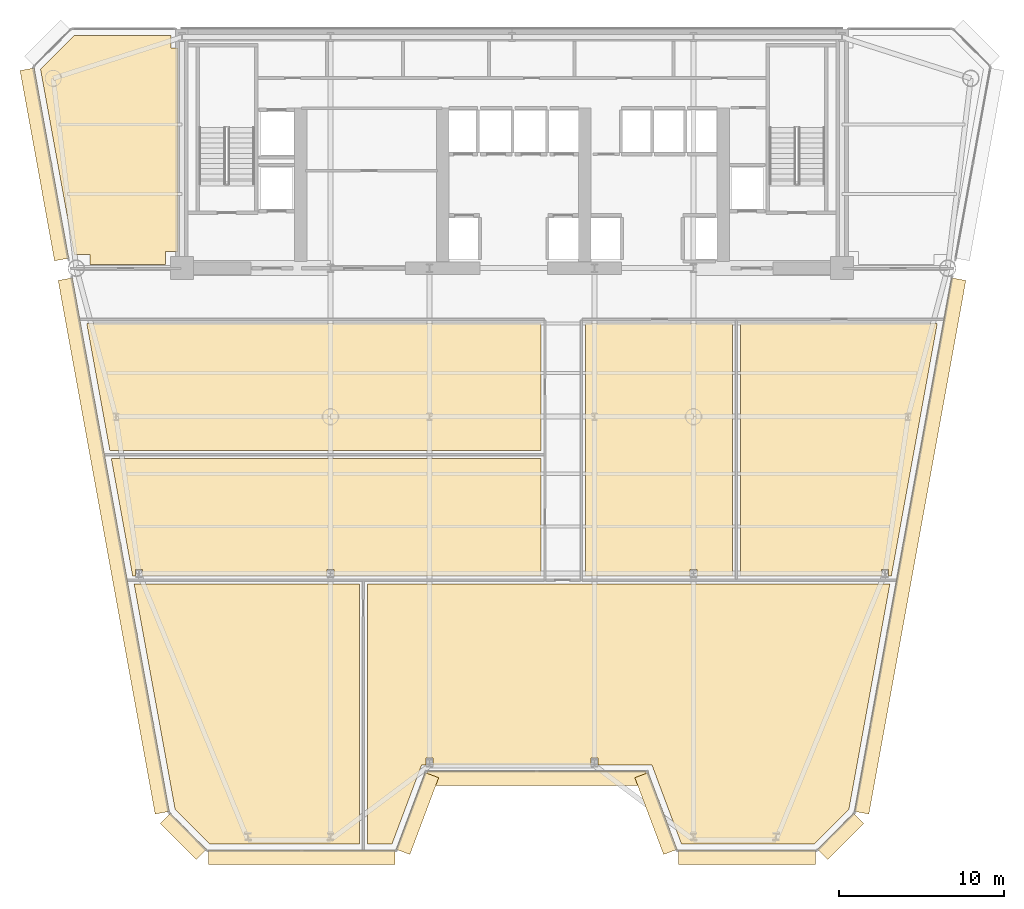
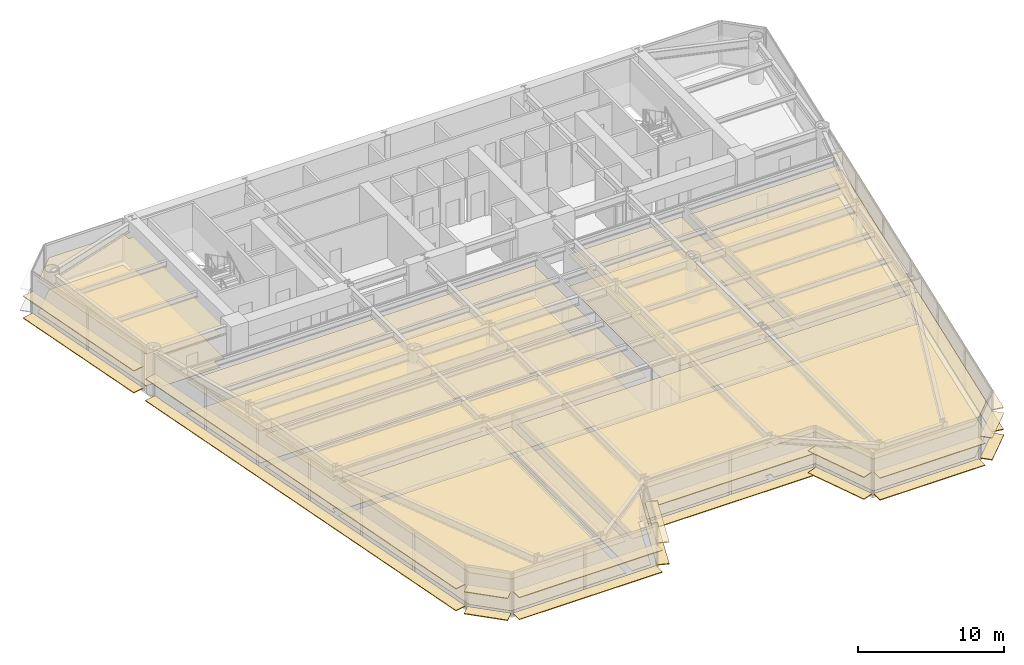
# One storey, part 11 of 14: 34 coverings.
"""IFC4 building model written with IfcOpenShell, lengths in metres."""

from ifc_helpers import new_model, si_unit, direction, frame, origin, origin_2d, place, context, subcontext, project, spatial, polyline, rectangle, outline, extrude, source, transform, mapped, material, layer, layer_set, type_object, element, save


model = new_model("IFC4")

# Units and contexts
model_context = context("Model", 3, precision=1e-05, world=origin(), true_north=direction((0.0, 1.0)))
body_context = subcontext(model_context, "Body", "Model", "MODEL_VIEW")
ifc_project = project(units=[si_unit("LENGTHUNIT", "METRE"), si_unit("AREAUNIT", "SQUARE_METRE"), si_unit("VOLUMEUNIT", "CUBIC_METRE"), si_unit("PLANEANGLEUNIT", "RADIAN"), si_unit("MASSUNIT", "GRAM", prefix="KILO")], contexts=[model_context])

# Site, building, storey
site_placement = place(None, origin())
site = spatial("IfcSite", under=ifc_project, at=site_placement, CompositionType="ELEMENT")
building_placement = place(site_placement, origin())
building = spatial("IfcBuilding", under=site, at=building_placement, Name="Vaeldorn Concourse Tower", CompositionType="ELEMENT")
storey_placement = place(building_placement, frame((0.0, 0.0, 126.199951171875)))
storey = spatial("IfcBuildingStorey", under=building, at=storey_placement, Name="L32", CompositionType="ELEMENT", Elevation=126.199951171875)

# Coverings
ifc_material_1 = material(Name="Acoustic Mineral Fibre Board", Category="gypsum")
ifc_layer_1 = layer(ifc_material_1, 0.0400390625)
ifc_layer_set_1 = layer_set([ifc_layer_1], Name="Acoustic Mineral Fibre Board")
covering_type_1 = type_object("IfcCoveringType", Name="COV-CEIL-ACOUSTIC", PredefinedType="CEILING", material=ifc_layer_set_1)
covering_1_placement = place(storey_placement, frame((0.0, 0.0, 2.650146484375)))
element("IfcCovering", 1, at=covering_1_placement, inside=storey, type_object=covering_type_1, Name="Suspended Acoustic Ceiling L32-4", PredefinedType="CEILING", context=body_context, shape_type="SweptSolid", body=[
    extrude(outline(polyline([(7.4658203125, 50.60009765625), (13.340087890625, 50.60009765625), (13.340087890625, 49.840087890625), (13.760009765625, 49.840087890625), (13.760009765625, 37.5), (13.0, 37.5), (13.0, 36.719970703125), (8.419921875, 36.719970703125), (8.419921875, 37.320068359375), (7.475341796875, 37.320068359375), (5.43115234375, 48.565185546875), (7.4658203125, 50.60009765625)])), origin(), (0.0, 0.0, 1.0), 0.039794921875),
])
covering_2_placement = place(storey_placement, frame((0.0, 0.0, 2.650146484375)))
element("IfcCovering", 2, at=covering_2_placement, inside=storey, type_object=covering_type_1, Name="Suspended Acoustic Ceiling L32-6", PredefinedType="CEILING", context=body_context, shape_type="SweptSolid", body=[
    extrude(outline(polyline([(24.760009765625, 17.360107421875), (24.760009765625, 1.595458984375), (15.68359375, 1.595458984375), (13.589111328125, 3.68994140625), (11.10400390625, 17.360107421875), (24.760009765625, 17.360107421875)])), origin(), (0.0, 0.0, 1.0), 0.039794921875),
])
covering_3_placement = place(storey_placement, frame((0.0, 0.0, 2.650146484375)))
element("IfcCovering", 3, at=covering_3_placement, inside=storey, type_object=covering_type_1, Name="Suspended Acoustic Ceiling L32-7", PredefinedType="CEILING", context=body_context, shape_type="SweptSolid", body=[
    extrude(outline(polyline([(26.722900390625, 1.595458984375), (25.239990234375, 1.595458984375), (25.239990234375, 17.360107421875), (56.89599609375, 17.360107421875), (54.410888671875, 3.68994140625), (52.31640625, 1.595458984375), (44.277099609375, 1.595458984375), (42.477294921875, 6.3955078125), (39.2119140625, 6.3955078125), (39.2119140625, 6.83251953125), (38.7880859375, 6.83251953125), (38.7880859375, 6.3955078125), (29.2119140625, 6.3955078125), (29.2119140625, 6.83251953125), (28.7880859375, 6.83251953125), (28.7880859375, 6.3955078125), (28.522705078125, 6.3955078125), (26.722900390625, 1.595458984375)])), origin(), (0.0, 0.0, 1.0), 0.039794921875),
])
covering_4_placement = place(storey_placement, frame((0.0, 0.0, 2.650146484375)))
element("IfcCovering", 4, at=covering_4_placement, inside=storey, type_object=covering_type_1, Name="Suspended Acoustic Ceiling L32-8", PredefinedType="CEILING", context=body_context, shape_type="SweptSolid", body=[
    extrude(outline(polyline([(35.760009765625, 24.9599609375), (35.760009765625, 17.840087890625), (23.2119140625, 17.840087890625), (23.2119140625, 18.237060546875), (22.7880859375, 18.237060546875), (22.7880859375, 17.840087890625), (11.612060546875, 17.840087890625), (11.612060546875, 18.237060546875), (11.18798828125, 18.237060546875), (11.18798828125, 17.840087890625), (11.0166015625, 17.840087890625), (9.722412109375, 24.9599609375), (35.760009765625, 24.9599609375)])), origin(), (0.0, 0.0, 1.0), 0.039794921875),
])
covering_5_placement = place(storey_placement, frame((0.0, 0.0, 2.650146484375)))
element("IfcCovering", 5, at=covering_5_placement, inside=storey, type_object=covering_type_1, Name="Suspended Acoustic Ceiling L32-9", PredefinedType="CEILING", context=body_context, shape_type="SweptSolid", body=[
    extrude(outline(polyline([(35.760009765625, 33.159912109375), (35.760009765625, 25.43994140625), (9.635009765625, 25.43994140625), (8.231689453125, 33.159912109375), (35.760009765625, 33.159912109375)])), origin(), (0.0, 0.0, 1.0), 0.039794921875),
])
covering_6_placement = place(storey_placement, frame((0.0, 0.0, 2.650146484375)))
element("IfcCovering", 6, at=covering_6_placement, inside=storey, type_object=covering_type_1, Name="Suspended Acoustic Ceiling L32-10", PredefinedType="CEILING", context=body_context, shape_type="SweptSolid", body=[
    extrude(outline(polyline([(38.43994140625, 33.159912109375), (47.360107421875, 33.159912109375), (47.360107421875, 17.840087890625), (45.2119140625, 17.840087890625), (45.2119140625, 18.237060546875), (44.7880859375, 18.237060546875), (44.7880859375, 17.840087890625), (38.43994140625, 17.840087890625), (38.43994140625, 33.159912109375)])), origin(), (0.0, 0.0, 1.0), 0.039794921875),
])
covering_7_placement = place(storey_placement, frame((0.0, 0.0, 2.650146484375)))
element("IfcCovering", 7, at=covering_7_placement, inside=storey, type_object=covering_type_1, Name="Suspended Acoustic Ceiling L32-11", PredefinedType="CEILING", context=body_context, shape_type="SweptSolid", body=[
    extrude(outline(polyline([(47.840087890625, 33.159912109375), (59.768310546875, 33.159912109375), (56.9833984375, 17.840087890625), (56.81201171875, 17.840087890625), (56.81201171875, 18.237060546875), (56.387939453125, 18.237060546875), (56.387939453125, 17.840087890625), (47.840087890625, 17.840087890625), (47.840087890625, 33.159912109375)])), origin(), (0.0, 0.0, 1.0), 0.039794921875),
])
ifc_material_2 = material(Name="Honed Limestone Terrazzo Flooring", Category="masonry")
ifc_layer_2 = layer(ifc_material_2, 0.0400390625)
ifc_layer_set_2 = layer_set([ifc_layer_2], Name="Honed Limestone Terrazzo Flooring")
covering_type_2 = type_object("IfcCoveringType", Name="COV-FLOOR-STONE", PredefinedType="FLOORING", material=ifc_layer_set_2)
covering_8_placement = place(storey_placement, origin())
element("IfcCovering", 8, at=covering_8_placement, inside=storey, type_object=covering_type_2, Name="Floor Finish Covering L32-4", PredefinedType="FLOORING", context=body_context, shape_type="SweptSolid", body=[
    extrude(outline(polyline([(7.4658203125, 50.60009765625), (13.340087890625, 50.60009765625), (13.340087890625, 49.840087890625), (13.760009765625, 49.840087890625), (13.760009765625, 37.5), (13.0, 37.5), (13.0, 36.719970703125), (8.419921875, 36.719970703125), (8.419921875, 37.320068359375), (7.475341796875, 37.320068359375), (5.43115234375, 48.565185546875), (7.4658203125, 50.60009765625)])), origin(), (0.0, 0.0, 1.0), 0.030029296875),
])
covering_9_placement = place(storey_placement, origin())
element("IfcCovering", 9, at=covering_9_placement, inside=storey, type_object=covering_type_2, Name="Floor Finish Covering L32-6", PredefinedType="FLOORING", context=body_context, shape_type="SweptSolid", body=[
    extrude(outline(polyline([(24.760009765625, 17.360107421875), (24.760009765625, 1.595458984375), (15.68359375, 1.595458984375), (13.589111328125, 3.68994140625), (11.10400390625, 17.360107421875), (24.760009765625, 17.360107421875)])), origin(), (0.0, 0.0, 1.0), 0.030029296875),
])
covering_10_placement = place(storey_placement, origin())
element("IfcCovering", 10, at=covering_10_placement, inside=storey, type_object=covering_type_2, Name="Floor Finish Covering L32-7", PredefinedType="FLOORING", context=body_context, shape_type="SweptSolid", body=[
    extrude(outline(polyline([(26.722900390625, 1.595458984375), (25.239990234375, 1.595458984375), (25.239990234375, 17.360107421875), (56.89599609375, 17.360107421875), (54.410888671875, 3.68994140625), (52.31640625, 1.595458984375), (44.277099609375, 1.595458984375), (42.477294921875, 6.3955078125), (39.2119140625, 6.3955078125), (39.2119140625, 6.83251953125), (38.7880859375, 6.83251953125), (38.7880859375, 6.3955078125), (29.2119140625, 6.3955078125), (29.2119140625, 6.83251953125), (28.7880859375, 6.83251953125), (28.7880859375, 6.3955078125), (28.522705078125, 6.3955078125), (26.722900390625, 1.595458984375)])), origin(), (0.0, 0.0, 1.0), 0.030029296875),
])
covering_11_placement = place(storey_placement, origin())
element("IfcCovering", 11, at=covering_11_placement, inside=storey, type_object=covering_type_2, Name="Floor Finish Covering L32-8", PredefinedType="FLOORING", context=body_context, shape_type="SweptSolid", body=[
    extrude(outline(polyline([(35.760009765625, 24.9599609375), (35.760009765625, 17.840087890625), (23.2119140625, 17.840087890625), (23.2119140625, 18.237060546875), (22.7880859375, 18.237060546875), (22.7880859375, 17.840087890625), (11.612060546875, 17.840087890625), (11.612060546875, 18.237060546875), (11.18798828125, 18.237060546875), (11.18798828125, 17.840087890625), (11.0166015625, 17.840087890625), (9.722412109375, 24.9599609375), (35.760009765625, 24.9599609375)])), origin(), (0.0, 0.0, 1.0), 0.030029296875),
])
covering_12_placement = place(storey_placement, origin())
element("IfcCovering", 12, at=covering_12_placement, inside=storey, type_object=covering_type_2, Name="Floor Finish Covering L32-9", PredefinedType="FLOORING", context=body_context, shape_type="SweptSolid", body=[
    extrude(outline(polyline([(35.760009765625, 33.159912109375), (35.760009765625, 25.43994140625), (9.635009765625, 25.43994140625), (8.231689453125, 33.159912109375), (35.760009765625, 33.159912109375)])), origin(), (0.0, 0.0, 1.0), 0.030029296875),
])
covering_13_placement = place(storey_placement, origin())
element("IfcCovering", 13, at=covering_13_placement, inside=storey, type_object=covering_type_2, Name="Floor Finish Covering L32-10", PredefinedType="FLOORING", context=body_context, shape_type="SweptSolid", body=[
    extrude(outline(polyline([(38.43994140625, 33.159912109375), (47.360107421875, 33.159912109375), (47.360107421875, 17.840087890625), (45.2119140625, 17.840087890625), (45.2119140625, 18.237060546875), (44.7880859375, 18.237060546875), (44.7880859375, 17.840087890625), (38.43994140625, 17.840087890625), (38.43994140625, 33.159912109375)])), origin(), (0.0, 0.0, 1.0), 0.030029296875),
])
covering_14_placement = place(storey_placement, origin())
element("IfcCovering", 14, at=covering_14_placement, inside=storey, type_object=covering_type_2, Name="Floor Finish Covering L32-11", PredefinedType="FLOORING", context=body_context, shape_type="SweptSolid", body=[
    extrude(outline(polyline([(47.840087890625, 33.159912109375), (59.768310546875, 33.159912109375), (56.9833984375, 17.840087890625), (56.81201171875, 17.840087890625), (56.81201171875, 18.237060546875), (56.387939453125, 18.237060546875), (56.387939453125, 17.840087890625), (47.840087890625, 17.840087890625), (47.840087890625, 33.159912109375)])), origin(), (0.0, 0.0, 1.0), 0.030029296875),
])
ifc_material_3 = material(Name="Anodised Bronze Aluminium", Category="aluminium")
ifc_layer_3 = layer(ifc_material_3, 0.06494140625)
ifc_layer_set_3 = layer_set([ifc_layer_3], Name="Anodised Bronze Aluminium")
covering_type_3 = type_object("IfcCoveringType", Name="SD-BRONZE-SUNSHADE", PredefinedType="USERDEFINED", material=ifc_layer_set_3)
shared_shape_1 = source(origin(), body_context, "Body", "SweptSolid", [
    extrude(rectangle(XDim=4.96630859375, YDim=0.8798828125, at=origin_2d()), origin(), (0.0, 0.0, 1.0), 0.06494140625),
])
for number, where, z_axis, x_axis, name in (
    (15, (28.2744140625, 3.455078125, 0.047607421875), (0.0, 0.0, 1.0), (0.351122702609, 0.936329454686, 0.0), "Horizontal Bronze Sunshade L32-E02.1.1"),
    (16, (28.2744140625, 3.455078125, 1.86767578125), (0.0, 0.0, 1.0), (0.351122702609, 0.936329454686, 0.0), "Horizontal Bronze Sunshade L32-E02.1.2"),
    (17, (42.7255859375, 3.455078125, 0.047607421875), (0.0, 0.0, 1.0), (0.351122702609, -0.936329454686, 0.0), "Horizontal Bronze Sunshade L32-E04.1.1"),
    (18, (42.7255859375, 3.455078125, 1.86767578125), (0.0, 0.0, 1.0), (0.351122702609, -0.936329454686, 0.0), "Horizontal Bronze Sunshade L32-E04.1.2"),
):
    element("IfcCovering", number, at=place(storey_placement, frame(where, z_axis=z_axis, x_axis=x_axis)), inside=storey, type_object=covering_type_3, Name=name, ObjectType="SUNSHADE", PredefinedType="USERDEFINED", context=body_context, shape_type="MappedRepresentation", body=[
        mapped(shared_shape_1, transform((0.0, 0.0, 0.0), scale=1.0)),
    ])
shared_shape_2 = source(origin(), body_context, "Body", "SweptSolid", [
    extrude(rectangle(XDim=13.239990234375, YDim=0.8798828125, at=origin_2d()), origin(), (0.0, 0.0, 1.0), 0.06494140625),
])
for number, where, z_axis, x_axis, name in (
    (19, (35.5, 5.595458984375, 0.047607421875), (0.0, 0.0, 1.0), (1.0, 0.0, 0.0), "Horizontal Bronze Sunshade L32-E03.1.1"),
    (20, (35.5, 5.595458984375, 1.86767578125), (0.0, 0.0, 1.0), (1.0, 0.0, 0.0), "Horizontal Bronze Sunshade L32-E03.1.2"),
):
    element("IfcCovering", number, at=place(storey_placement, frame(where, z_axis=z_axis, x_axis=x_axis)), inside=storey, type_object=covering_type_3, Name=name, ObjectType="SUNSHADE", PredefinedType="USERDEFINED", context=body_context, shape_type="MappedRepresentation", body=[
        mapped(shared_shape_2, transform((0.0, 0.0, 0.0), scale=1.0)),
    ])
shared_shape_3 = source(origin(), body_context, "Body", "SweptSolid", [
    extrude(rectangle(XDim=3.0927734375, YDim=0.8798828125, at=origin_2d()), origin(), (0.0, 0.0, 1.0), 0.06494140625),
])
for number, where, z_axis, x_axis, name in (
    (21, (53.9150390625, 2.0625, 0.047607421875), (0.0, 0.0, 1.0), (0.707106781187, 0.707106781187, 0.0), "Horizontal Bronze Sunshade L32-E06.1.1"),
    (22, (53.9150390625, 2.0625, 1.86767578125), (0.0, 0.0, 1.0), (0.707106781187, 0.707106781187, 0.0), "Horizontal Bronze Sunshade L32-E06.1.2"),
    (23, (14.0849609375, 2.0625, 0.047607421875), (0.0, 0.0, 1.0), (0.707106781187, -0.707106781187, 0.0), "Horizontal Bronze Sunshade L32-E12.1.1"),
    (24, (14.0849609375, 2.0625, 1.86767578125), (0.0, 0.0, 1.0), (0.707106781187, -0.707106781187, 0.0), "Horizontal Bronze Sunshade L32-E12.1.2"),
):
    element("IfcCovering", number, at=place(storey_placement, frame(where, z_axis=z_axis, x_axis=x_axis)), inside=storey, type_object=covering_type_3, Name=name, ObjectType="SUNSHADE", PredefinedType="USERDEFINED", context=body_context, shape_type="MappedRepresentation", body=[
        mapped(shared_shape_3, transform((0.0, 0.0, 0.0), scale=1.0)),
    ])
shared_shape_4 = source(origin(), body_context, "Body", "SweptSolid", [
    extrude(rectangle(XDim=11.322265625, YDim=0.8798828125, at=origin_2d()), origin(), (0.0, 0.0, 1.0), 0.06494140625),
])
for number, where, z_axis, x_axis, name in (
    (25, (21.2587890625, 0.79541015625, 0.047607421875), (0.0, 0.0, 1.0), (1.0, 0.0, 0.0), "Horizontal Bronze Sunshade L32-E01.1.1"),
    (26, (21.2587890625, 0.79541015625, 1.86767578125), (0.0, 0.0, 1.0), (1.0, 0.0, 0.0), "Horizontal Bronze Sunshade L32-E01.1.2"),
):
    element("IfcCovering", number, at=place(storey_placement, frame(where, z_axis=z_axis, x_axis=x_axis)), inside=storey, type_object=covering_type_3, Name=name, ObjectType="SUNSHADE", PredefinedType="USERDEFINED", context=body_context, shape_type="MappedRepresentation", body=[
        mapped(shared_shape_4, transform((0.0, 0.0, 0.0), scale=1.0)),
    ])
shared_shape_5 = source(origin(), body_context, "Body", "SweptSolid", [
    extrude(rectangle(XDim=8.322265625, YDim=0.8798828125, at=origin_2d()), origin(), (0.0, 0.0, 1.0), 0.06494140625),
])
for number, where, z_axis, x_axis, name in (
    (27, (48.2412109375, 0.79541015625, 0.047607421875), (0.0, 0.0, 1.0), (1.0, 0.0, 0.0), "Horizontal Bronze Sunshade L32-E05.1.1"),
    (28, (48.2412109375, 0.79541015625, 1.86767578125), (0.0, 0.0, 1.0), (1.0, 0.0, 0.0), "Horizontal Bronze Sunshade L32-E05.1.2"),
):
    element("IfcCovering", number, at=place(storey_placement, frame(where, z_axis=z_axis, x_axis=x_axis)), inside=storey, type_object=covering_type_3, Name=name, ObjectType="SUNSHADE", PredefinedType="USERDEFINED", context=body_context, shape_type="MappedRepresentation", body=[
        mapped(shared_shape_5, transform((0.0, 0.0, 0.0), scale=1.0)),
    ])
shared_shape_6 = source(origin(), body_context, "Body", "SweptSolid", [
    extrude(rectangle(XDim=32.85888671875, YDim=0.8798828125, at=origin_2d()), origin(), (0.0, 0.0, 1.0), 0.06494140625),
])
for number, where, z_axis, x_axis, name in (
    (29, (58.128662109375, 19.667236328125, 0.047607421875), (0.0, 0.0, 1.0), (0.178853730971, 0.983875674523, 0.0), "Horizontal Bronze Sunshade L32-E07.1.1"),
    (30, (58.128662109375, 19.667236328125, 1.86767578125), (0.0, 0.0, 1.0), (0.178853730971, 0.983875674523, 0.0), "Horizontal Bronze Sunshade L32-E07.1.2"),
    (31, (9.871337890625, 19.667236328125, 0.047607421875), (0.0, 0.0, 1.0), (0.178853730971, -0.983875674523, 0.0), "Horizontal Bronze Sunshade L32-E11.2.1"),
    (32, (9.871337890625, 19.667236328125, 1.86767578125), (0.0, 0.0, 1.0), (0.178853730971, -0.983875674523, 0.0), "Horizontal Bronze Sunshade L32-E11.2.2"),
):
    element("IfcCovering", number, at=place(storey_placement, frame(where, z_axis=z_axis, x_axis=x_axis)), inside=storey, type_object=covering_type_3, Name=name, ObjectType="SUNSHADE", PredefinedType="USERDEFINED", context=body_context, shape_type="MappedRepresentation", body=[
        mapped(shared_shape_6, transform((0.0, 0.0, 0.0), scale=1.0)),
    ])
shared_shape_7 = source(origin(), body_context, "Body", "SweptSolid", [
    extrude(rectangle(XDim=11.71337890625, YDim=0.8798828125, at=origin_2d()), origin(), (0.0, 0.0, 1.0), 0.06494140625),
])
for number, where, z_axis, x_axis, name in (
    (33, (5.668212890625, 42.78759765625, 0.047607421875), (0.0, 0.0, 1.0), (0.178853730971, -0.983875674523, 0.0), "Horizontal Bronze Sunshade L32-E11.1.1"),
    (34, (5.668212890625, 42.78759765625, 1.86767578125), (0.0, 0.0, 1.0), (0.178853730971, -0.983875674523, 0.0), "Horizontal Bronze Sunshade L32-E11.1.2"),
):
    element("IfcCovering", number, at=place(storey_placement, frame(where, z_axis=z_axis, x_axis=x_axis)), inside=storey, type_object=covering_type_3, Name=name, ObjectType="SUNSHADE", PredefinedType="USERDEFINED", context=body_context, shape_type="MappedRepresentation", body=[
        mapped(shared_shape_7, transform((0.0, 0.0, 0.0), scale=1.0)),
    ])

save(model, "model.ifc")
